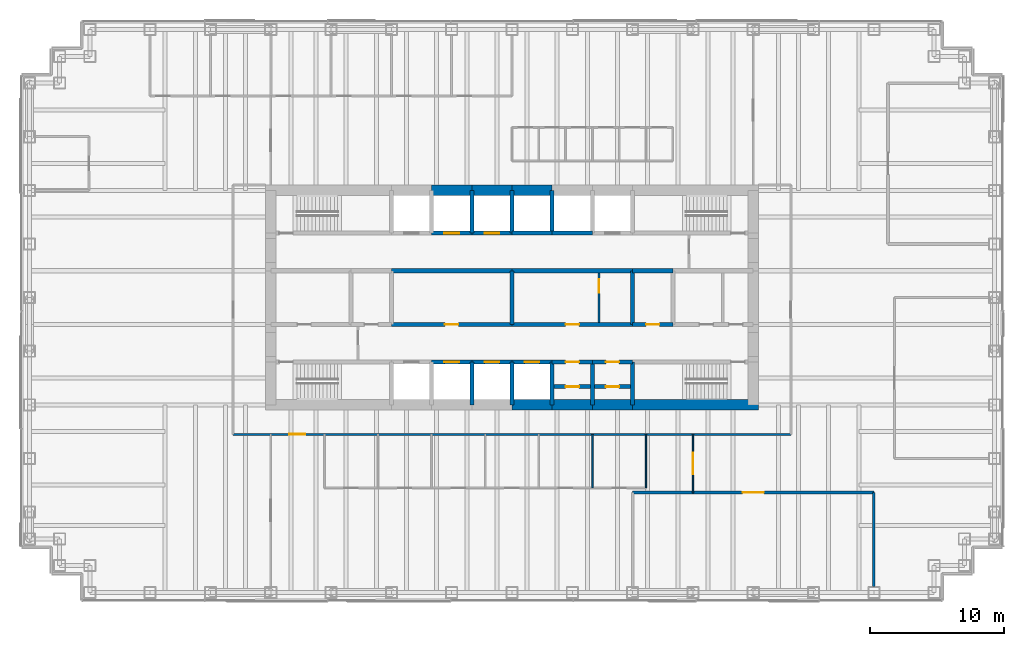
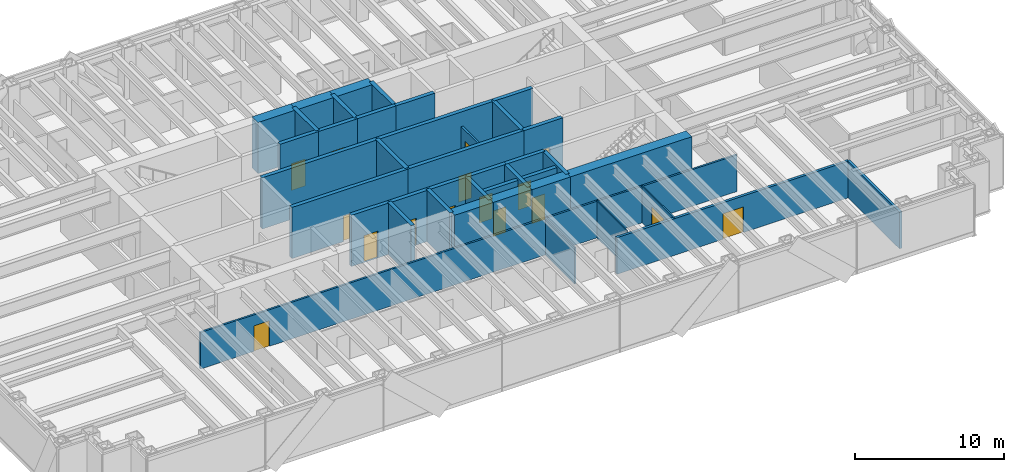
# One storey, part 11 of 14: 41 walls, 16 doors, 16 openings.
"""IFC4 building model written with IfcOpenShell, lengths in metres."""

from ifc_helpers import new_model, si_unit, direction, frame, frame_2d, origin, place, context, subcontext, project, spatial, rectangle, extrude, material, layer, layer_set, type_object, element, fill, save


model = new_model("IFC4")

# Units and contexts
model_context = context("Model", 3, precision=1e-05, world=origin(), true_north=direction((0.0, 1.0)))
body_context = subcontext(model_context, "Body", "Model", "MODEL_VIEW")
ifc_project = project(units=[si_unit("LENGTHUNIT", "METRE"), si_unit("AREAUNIT", "SQUARE_METRE"), si_unit("VOLUMEUNIT", "CUBIC_METRE"), si_unit("PLANEANGLEUNIT", "RADIAN"), si_unit("MASSUNIT", "GRAM", prefix="KILO")], contexts=[model_context])

# Site, building, storey
site_placement = place(None, origin())
site = spatial("IfcSite", under=ifc_project, at=site_placement, CompositionType="ELEMENT")
building_placement = place(site_placement, origin())
building = spatial("IfcBuilding", under=site, at=building_placement, Name="Rheinbord Bourse Tower", CompositionType="ELEMENT")
storey_placement = place(building_placement, frame((0.0, 0.0, 253.0)))
storey = spatial("IfcBuildingStorey", under=building, at=storey_placement, Name="L57", CompositionType="ELEMENT", Elevation=253.0)

# Wall, opening, door
ifc_material_1 = material(Name="Acoustic gypsum board partition", Category="gypsum board")
ifc_layer_1 = layer(ifc_material_1, 0.199951171875)
ifc_layer_set_1 = layer_set([ifc_layer_1], Name="ACOUSTIC PARTITION 200")
wall_type_1 = type_object("IfcWallType", Name="ACOUSTIC PARTITION 200", PredefinedType="PARTITIONING", material=ifc_layer_set_1)
wall_1_placement = place(storey_placement, frame((45.0, 9.449951171875, 0.0), z_axis=(0.0, 0.0, 1.0), x_axis=(1.0, 0.0, 0.0)))
wall_1 = element("IfcWall", 1, at=wall_1_placement, inside=storey, type_object=wall_type_1, Name="Partition L57-01", PredefinedType="PARTITIONING", context=body_context, shape_type="SweptSolid", body=[
    extrude(rectangle(XDim=18.0, YDim=0.199951171875, at=frame_2d((9.0, 0.0))), origin(), (0.0, 0.0, 1.0), 3.0),
])
opening_1_placement = place(wall_1_placement, frame((8.199951171875, 0.0, 0.0)))
opening_1 = element("IfcOpeningElement", 2, at=opening_1_placement, cuts=wall_1, Name="Opening 57D01", PredefinedType="OPENING", context=body_context, shape_type="SweptSolid", body=[
    extrude(rectangle(XDim=1.60009765625, YDim=2.10009765625, at=frame_2d((0.800048828125, 1.050048828125))), frame((0.0, 0.10986328125, 0.0), z_axis=(0.0, -1.0, 0.0), x_axis=(1.0, 0.0, 0.0)), (0.0, 0.0, 1.0), 0.219970703125),
])
ifc_material_2 = material(Name="Timber door", Category="wood")
door_type_1 = type_object("IfcDoorType", Name="DOUBLE ROOM DOOR 1600", OperationType="DOUBLE_DOOR_DOUBLE_SWING", PredefinedType="DOOR", material=ifc_material_2)
door_1_placement = place(opening_1_placement, origin())
door_1 = element("IfcDoor", 3, at=door_1_placement, inside=storey, type_object=door_type_1, Name="Project room door L57", OperationType="SINGLE_SWING_LEFT", OverallHeight=2.10009765625, OverallWidth=1.60009765625, PredefinedType="DOOR", context=body_context, shape_type="SweptSolid", body=[
    extrude(rectangle(XDim=1.60009765625, YDim=2.10009765625, at=frame_2d((0.800048828125, 1.050048828125))), frame((0.0, 0.02490234375, 0.0), z_axis=(0.0, -1.0, 0.0), x_axis=(1.0, 0.0, 0.0)), (0.0, 0.0, 1.0), 0.050048828125),
])
fill(opening_1, door_1)

# Wall
wall_2_placement = place(storey_placement, frame((63.0, 2.449951171875, 0.0), z_axis=(0.0, 0.0, 1.0), x_axis=(0.0, 1.0, 0.0)))
element("IfcWall", 4, at=wall_2_placement, inside=storey, type_object=wall_type_1, Name="Partition L57-44", PredefinedType="PARTITIONING", context=body_context, shape_type="SweptSolid", body=[
    extrude(rectangle(XDim=7.0, YDim=0.199951171875, at=frame_2d((3.5, 0.0))), origin(), (0.0, 0.0, 1.0), 3.0),
])

# Wall, opening, door
ifc_material_3 = material(Name="Concrete C50/60", Category="concrete")
ifc_layer_2 = layer(ifc_material_3, 0.300048828125)
ifc_layer_set_2 = layer_set([ifc_layer_2], Name="CORE INNER WALL 300")
wall_type_2 = type_object("IfcWallType", Name="CORE INNER WALL 300", PredefinedType="SOLIDWALL", material=ifc_layer_set_2)
wall_3_placement = place(storey_placement, frame((30.0, 19.199951171875, 0.0), z_axis=(0.0, 0.0, 1.0), x_axis=(1.0, 0.0, 0.0)))
wall_3 = element("IfcWall", 5, at=wall_3_placement, inside=storey, type_object=wall_type_2, Name="Core wall A3 L57", PredefinedType="SOLIDWALL", context=body_context, shape_type="SweptSolid", body=[
    extrude(rectangle(XDim=3.0, YDim=0.300048828125, at=frame_2d((1.5, 0.0))), origin(), (0.0, 0.0, 1.0), 4.199951171875),
])
opening_2_placement = place(wall_3_placement, frame((0.949951171875, 0.0, 0.0)))
opening_2 = element("IfcOpeningElement", 6, at=opening_2_placement, cuts=wall_3, Name="Opening PC1", PredefinedType="OPENING", context=body_context, shape_type="SweptSolid", body=[
    extrude(rectangle(XDim=1.10009765625, YDim=2.199951171875, at=frame_2d((0.550048828125, 1.10009765625))), frame((0.0, 0.159912109375, 0.0), z_axis=(0.0, -1.0, 0.0), x_axis=(1.0, 0.0, 0.0)), (0.0, 0.0, 1.0), 0.320068359375),
])
ifc_material_4 = material(Name="Steel landing door", Category="steel")
door_type_2 = type_object("IfcDoorType", Name="LIFT LANDING DOOR 1100", OperationType="DOUBLE_DOOR_SLIDING", PredefinedType="USERDEFINED", material=ifc_material_4)
door_2_placement = place(opening_2_placement, origin())
door_2 = element("IfcDoor", 7, at=door_2_placement, inside=storey, type_object=door_type_2, Name="Lift landing door PC1 L57", ObjectType="LIFT LANDING DOOR", OperationType="DOUBLE_DOOR_SLIDING", OverallHeight=2.199951171875, OverallWidth=1.10009765625, PredefinedType="USERDEFINED", context=body_context, shape_type="SweptSolid", body=[
    extrude(rectangle(XDim=1.10009765625, YDim=2.199951171875, at=frame_2d((0.550048828125, 1.10009765625))), frame((0.0, 0.02490234375, 0.0), z_axis=(0.0, -1.0, 0.0), x_axis=(1.0, 0.0, 0.0)), (0.0, 0.0, 1.0), 0.050048828125),
])
fill(opening_2, door_2)

wall_4_placement = place(storey_placement, frame((33.0, 19.199951171875, 0.0), z_axis=(0.0, 0.0, 1.0), x_axis=(1.0, 0.0, 0.0)))
wall_4 = element("IfcWall", 8, at=wall_4_placement, inside=storey, type_object=wall_type_2, Name="Core wall A4 L57", PredefinedType="SOLIDWALL", context=body_context, shape_type="SweptSolid", body=[
    extrude(rectangle(XDim=3.0, YDim=0.300048828125, at=frame_2d((1.5, 0.0))), origin(), (0.0, 0.0, 1.0), 4.199951171875),
])
opening_3_placement = place(wall_4_placement, frame((0.949951171875, 0.0, 0.0)))
opening_3 = element("IfcOpeningElement", 9, at=opening_3_placement, cuts=wall_4, Name="Opening PC2", PredefinedType="OPENING", context=body_context, shape_type="SweptSolid", body=[
    extrude(rectangle(XDim=1.10009765625, YDim=2.199951171875, at=frame_2d((0.550048828125, 1.10009765625))), frame((0.0, 0.159912109375, 0.0), z_axis=(0.0, -1.0, 0.0), x_axis=(1.0, 0.0, 0.0)), (0.0, 0.0, 1.0), 0.320068359375),
])
door_3_placement = place(opening_3_placement, origin())
door_3 = element("IfcDoor", 10, at=door_3_placement, inside=storey, type_object=door_type_2, Name="Lift landing door PC2 L57", ObjectType="LIFT LANDING DOOR", OperationType="DOUBLE_DOOR_SLIDING", OverallHeight=2.199951171875, OverallWidth=1.10009765625, PredefinedType="USERDEFINED", context=body_context, shape_type="SweptSolid", body=[
    extrude(rectangle(XDim=1.10009765625, YDim=2.199951171875, at=frame_2d((0.550048828125, 1.10009765625))), frame((0.0, 0.02490234375, 0.0), z_axis=(0.0, -1.0, 0.0), x_axis=(1.0, 0.0, 0.0)), (0.0, 0.0, 1.0), 0.050048828125),
])
fill(opening_3, door_3)

wall_5_placement = place(storey_placement, frame((36.0, 19.199951171875, 0.0), z_axis=(0.0, 0.0, 1.0), x_axis=(1.0, 0.0, 0.0)))
wall_5 = element("IfcWall", 11, at=wall_5_placement, inside=storey, type_object=wall_type_2, Name="Core wall A5 L57", PredefinedType="SOLIDWALL", context=body_context, shape_type="SweptSolid", body=[
    extrude(rectangle(XDim=3.0, YDim=0.300048828125, at=frame_2d((1.5, 0.0))), origin(), (0.0, 0.0, 1.0), 4.199951171875),
])
opening_4_placement = place(wall_5_placement, frame((0.949951171875, 0.0, 0.0)))
opening_4 = element("IfcOpeningElement", 12, at=opening_4_placement, cuts=wall_5, Name="Opening PC3", PredefinedType="OPENING", context=body_context, shape_type="SweptSolid", body=[
    extrude(rectangle(XDim=1.10009765625, YDim=2.199951171875, at=frame_2d((0.550048828125, 1.10009765625))), frame((0.0, 0.159912109375, 0.0), z_axis=(0.0, -1.0, 0.0), x_axis=(1.0, 0.0, 0.0)), (0.0, 0.0, 1.0), 0.320068359375),
])
door_4_placement = place(opening_4_placement, origin())
door_4 = element("IfcDoor", 13, at=door_4_placement, inside=storey, type_object=door_type_2, Name="Lift landing door PC3 L57", ObjectType="LIFT LANDING DOOR", OperationType="DOUBLE_DOOR_SLIDING", OverallHeight=2.199951171875, OverallWidth=1.10009765625, PredefinedType="USERDEFINED", context=body_context, shape_type="SweptSolid", body=[
    extrude(rectangle(XDim=1.10009765625, YDim=2.199951171875, at=frame_2d((0.550048828125, 1.10009765625))), frame((0.0, 0.02490234375, 0.0), z_axis=(0.0, -1.0, 0.0), x_axis=(1.0, 0.0, 0.0)), (0.0, 0.0, 1.0), 0.050048828125),
])
fill(opening_4, door_4)

wall_6_placement = place(storey_placement, frame((39.0, 19.199951171875, 0.0), z_axis=(0.0, 0.0, 1.0), x_axis=(1.0, 0.0, 0.0)))
wall_6 = element("IfcWall", 14, at=wall_6_placement, inside=storey, type_object=wall_type_2, Name="Core wall A6 L57", PredefinedType="SOLIDWALL", context=body_context, shape_type="SweptSolid", body=[
    extrude(rectangle(XDim=3.0, YDim=0.300048828125, at=frame_2d((1.5, 0.0))), origin(), (0.0, 0.0, 1.0), 4.199951171875),
])
opening_5_placement = place(wall_6_placement, frame((1.0, 0.0, 0.0)))
opening_5 = element("IfcOpeningElement", 15, at=opening_5_placement, cuts=wall_6, Name="Opening 57R8", PredefinedType="OPENING", context=body_context, shape_type="SweptSolid", body=[
    extrude(rectangle(XDim=1.0, YDim=2.10009765625, at=frame_2d((0.5, 1.050048828125))), frame((0.0, 0.159912109375, 0.0), z_axis=(0.0, -1.0, 0.0), x_axis=(1.0, 0.0, 0.0)), (0.0, 0.0, 1.0), 0.320068359375),
])
ifc_material_5 = material(Name="Steel door", Category="steel")
door_type_3 = type_object("IfcDoorType", Name="DOOR 1000 EI30", OperationType="SINGLE_SWING_LEFT", PredefinedType="DOOR", material=ifc_material_5)
door_5_placement = place(opening_5_placement, origin())
door_5 = element("IfcDoor", 16, at=door_5_placement, inside=storey, type_object=door_type_3, Name="Cleaner's store door L57", OperationType="SINGLE_SWING_LEFT", OverallHeight=2.10009765625, OverallWidth=1.0, PredefinedType="DOOR", context=body_context, shape_type="SweptSolid", body=[
    extrude(rectangle(XDim=1.0, YDim=2.10009765625, at=frame_2d((0.5, 1.050048828125))), frame((0.0, 0.02490234375, 0.0), z_axis=(0.0, -1.0, 0.0), x_axis=(1.0, 0.0, 0.0)), (0.0, 0.0, 1.0), 0.050048828125),
])
fill(opening_5, door_5)

wall_7_placement = place(storey_placement, frame((42.0, 19.199951171875, 0.0), z_axis=(0.0, 0.0, 1.0), x_axis=(1.0, 0.0, 0.0)))
wall_7 = element("IfcWall", 17, at=wall_7_placement, inside=storey, type_object=wall_type_2, Name="Core wall A7 L57", PredefinedType="SOLIDWALL", context=body_context, shape_type="SweptSolid", body=[
    extrude(rectangle(XDim=3.0, YDim=0.300048828125, at=frame_2d((1.5, 0.0))), origin(), (0.0, 0.0, 1.0), 4.199951171875),
])
opening_6_placement = place(wall_7_placement, frame((1.0, 0.0, 0.0)))
opening_6 = element("IfcOpeningElement", 18, at=opening_6_placement, cuts=wall_7, Name="Opening 57R9", PredefinedType="OPENING", context=body_context, shape_type="SweptSolid", body=[
    extrude(rectangle(XDim=1.0, YDim=2.10009765625, at=frame_2d((0.5, 1.050048828125))), frame((0.0, 0.159912109375, 0.0), z_axis=(0.0, -1.0, 0.0), x_axis=(1.0, 0.0, 0.0)), (0.0, 0.0, 1.0), 0.320068359375),
])
door_6_placement = place(opening_6_placement, origin())
door_6 = element("IfcDoor", 19, at=door_6_placement, inside=storey, type_object=door_type_3, Name="Pantry door L57", OperationType="SINGLE_SWING_LEFT", OverallHeight=2.10009765625, OverallWidth=1.0, PredefinedType="DOOR", context=body_context, shape_type="SweptSolid", body=[
    extrude(rectangle(XDim=1.0, YDim=2.10009765625, at=frame_2d((0.5, 1.050048828125))), frame((0.0, 0.02490234375, 0.0), z_axis=(0.0, -1.0, 0.0), x_axis=(1.0, 0.0, 0.0)), (0.0, 0.0, 1.0), 0.050048828125),
])
fill(opening_6, door_6)

wall_8_placement = place(storey_placement, frame((30.0, 28.800048828125, 0.0), z_axis=(0.0, 0.0, 1.0), x_axis=(1.0, 0.0, 0.0)))
wall_8 = element("IfcWall", 20, at=wall_8_placement, inside=storey, type_object=wall_type_2, Name="Core wall B3 L57", PredefinedType="SOLIDWALL", context=body_context, shape_type="SweptSolid", body=[
    extrude(rectangle(XDim=3.0, YDim=0.300048828125, at=frame_2d((1.5, 0.0))), origin(), (0.0, 0.0, 1.0), 4.199951171875),
])
opening_7_placement = place(wall_8_placement, frame((0.949951171875, 0.0, 0.0)))
opening_7 = element("IfcOpeningElement", 21, at=opening_7_placement, cuts=wall_8, Name="Opening PC4", PredefinedType="OPENING", context=body_context, shape_type="SweptSolid", body=[
    extrude(rectangle(XDim=1.10009765625, YDim=2.199951171875, at=frame_2d((0.550048828125, 1.10009765625))), frame((0.0, 0.159912109375, 0.0), z_axis=(0.0, -1.0, 0.0), x_axis=(1.0, 0.0, 0.0)), (0.0, 0.0, 1.0), 0.320068359375),
])
door_7_placement = place(opening_7_placement, origin())
door_7 = element("IfcDoor", 22, at=door_7_placement, inside=storey, type_object=door_type_2, Name="Lift landing door PC4 L57", ObjectType="LIFT LANDING DOOR", OperationType="DOUBLE_DOOR_SLIDING", OverallHeight=2.199951171875, OverallWidth=1.10009765625, PredefinedType="USERDEFINED", context=body_context, shape_type="SweptSolid", body=[
    extrude(rectangle(XDim=1.10009765625, YDim=2.199951171875, at=frame_2d((0.550048828125, 1.10009765625))), frame((0.0, 0.02490234375, 0.0), z_axis=(0.0, -1.0, 0.0), x_axis=(1.0, 0.0, 0.0)), (0.0, 0.0, 1.0), 0.050048828125),
])
fill(opening_7, door_7)

wall_9_placement = place(storey_placement, frame((33.0, 28.800048828125, 0.0), z_axis=(0.0, 0.0, 1.0), x_axis=(1.0, 0.0, 0.0)))
wall_9 = element("IfcWall", 23, at=wall_9_placement, inside=storey, type_object=wall_type_2, Name="Core wall B4 L57", PredefinedType="SOLIDWALL", context=body_context, shape_type="SweptSolid", body=[
    extrude(rectangle(XDim=3.0, YDim=0.300048828125, at=frame_2d((1.5, 0.0))), origin(), (0.0, 0.0, 1.0), 4.199951171875),
])
opening_8_placement = place(wall_9_placement, frame((0.949951171875, 0.0, 0.0)))
opening_8 = element("IfcOpeningElement", 24, at=opening_8_placement, cuts=wall_9, Name="Opening PC5", PredefinedType="OPENING", context=body_context, shape_type="SweptSolid", body=[
    extrude(rectangle(XDim=1.10009765625, YDim=2.199951171875, at=frame_2d((0.550048828125, 1.10009765625))), frame((0.0, 0.159912109375, 0.0), z_axis=(0.0, -1.0, 0.0), x_axis=(1.0, 0.0, 0.0)), (0.0, 0.0, 1.0), 0.320068359375),
])
door_8_placement = place(opening_8_placement, origin())
door_8 = element("IfcDoor", 25, at=door_8_placement, inside=storey, type_object=door_type_2, Name="Lift landing door PC5 L57", ObjectType="LIFT LANDING DOOR", OperationType="DOUBLE_DOOR_SLIDING", OverallHeight=2.199951171875, OverallWidth=1.10009765625, PredefinedType="USERDEFINED", context=body_context, shape_type="SweptSolid", body=[
    extrude(rectangle(XDim=1.10009765625, YDim=2.199951171875, at=frame_2d((0.550048828125, 1.10009765625))), frame((0.0, 0.02490234375, 0.0), z_axis=(0.0, -1.0, 0.0), x_axis=(1.0, 0.0, 0.0)), (0.0, 0.0, 1.0), 0.050048828125),
])
fill(opening_8, door_8)

# Walls
for number, where, z_axis, x_axis, name in (
    (26, (36.0, 28.800048828125, 0.0), (0.0, 0.0, 1.0), (1.0, 0.0, 0.0), "Core wall B5 L57"),
    (27, (39.0, 28.800048828125, 0.0), (0.0, 0.0, 1.0), (1.0, 0.0, 0.0), "Core wall B6 L57"),
):
    element("IfcWall", number, at=place(storey_placement, frame(where, z_axis=z_axis, x_axis=x_axis)), inside=storey, type_object=wall_type_2, Name=name, PredefinedType="SOLIDWALL", context=body_context, shape_type="SweptSolid", body=[
        extrude(rectangle(XDim=3.0, YDim=0.300048828125, at=frame_2d((1.5, 0.0))), origin(), (0.0, 0.0, 1.0), 4.199951171875),
    ])

# Wall, opening, door
wall_10_placement = place(storey_placement, frame((27.0, 22.0, 0.0), z_axis=(0.0, 0.0, 1.0), x_axis=(1.0, 0.0, 0.0)))
wall_10 = element("IfcWall", 28, at=wall_10_placement, inside=storey, type_object=wall_type_2, Name="Core wall C3 L57", PredefinedType="SOLIDWALL", context=body_context, shape_type="SweptSolid", body=[
    extrude(rectangle(XDim=9.0, YDim=0.300048828125, at=frame_2d((4.5, 0.0))), origin(), (0.0, 0.0, 1.0), 4.199951171875),
])
opening_9_placement = place(wall_10_placement, frame((4.0, 0.0, 0.0)))
opening_9 = element("IfcOpeningElement", 29, at=opening_9_placement, cuts=wall_10, Name="Opening 57R3", PredefinedType="OPENING", context=body_context, shape_type="SweptSolid", body=[
    extrude(rectangle(XDim=1.0, YDim=2.10009765625, at=frame_2d((0.5, 1.050048828125))), frame((0.0, 0.159912109375, 0.0), z_axis=(0.0, -1.0, 0.0), x_axis=(1.0, 0.0, 0.0)), (0.0, 0.0, 1.0), 0.320068359375),
])
door_9_placement = place(opening_9_placement, origin())
door_9 = element("IfcDoor", 30, at=door_9_placement, inside=storey, type_object=door_type_3, Name="Riser door L57", OperationType="SINGLE_SWING_LEFT", OverallHeight=2.10009765625, OverallWidth=1.0, PredefinedType="DOOR", context=body_context, shape_type="SweptSolid", body=[
    extrude(rectangle(XDim=1.0, YDim=2.10009765625, at=frame_2d((0.5, 1.050048828125))), frame((0.0, 0.02490234375, 0.0), z_axis=(0.0, -1.0, 0.0), x_axis=(1.0, 0.0, 0.0)), (0.0, 0.0, 1.0), 0.050048828125),
])
fill(opening_9, door_9)

wall_11_placement = place(storey_placement, frame((36.0, 22.0, 0.0), z_axis=(0.0, 0.0, 1.0), x_axis=(1.0, 0.0, 0.0)))
wall_11 = element("IfcWall", 31, at=wall_11_placement, inside=storey, type_object=wall_type_2, Name="Core wall C4 L57", PredefinedType="SOLIDWALL", context=body_context, shape_type="SweptSolid", body=[
    extrude(rectangle(XDim=9.0, YDim=0.300048828125, at=frame_2d((4.5, 0.0))), origin(), (0.0, 0.0, 1.0), 4.199951171875),
])
opening_10_placement = place(wall_11_placement, frame((4.0, 0.0, 0.0)))
opening_10 = element("IfcOpeningElement", 32, at=opening_10_placement, cuts=wall_11, Name="Opening 57R4", PredefinedType="OPENING", context=body_context, shape_type="SweptSolid", body=[
    extrude(rectangle(XDim=1.0, YDim=2.10009765625, at=frame_2d((0.5, 1.050048828125))), frame((0.0, 0.159912109375, 0.0), z_axis=(0.0, -1.0, 0.0), x_axis=(1.0, 0.0, 0.0)), (0.0, 0.0, 1.0), 0.320068359375),
])
door_10_placement = place(opening_10_placement, origin())
door_10 = element("IfcDoor", 33, at=door_10_placement, inside=storey, type_object=door_type_3, Name="Print room door L57", OperationType="SINGLE_SWING_LEFT", OverallHeight=2.10009765625, OverallWidth=1.0, PredefinedType="DOOR", context=body_context, shape_type="SweptSolid", body=[
    extrude(rectangle(XDim=1.0, YDim=2.10009765625, at=frame_2d((0.5, 1.050048828125))), frame((0.0, 0.02490234375, 0.0), z_axis=(0.0, -1.0, 0.0), x_axis=(1.0, 0.0, 0.0)), (0.0, 0.0, 1.0), 0.050048828125),
])
fill(opening_10, door_10)

wall_12_placement = place(storey_placement, frame((45.0, 22.0, 0.0), z_axis=(0.0, 0.0, 1.0), x_axis=(1.0, 0.0, 0.0)))
wall_12 = element("IfcWall", 34, at=wall_12_placement, inside=storey, type_object=wall_type_2, Name="Core wall C5 L57", PredefinedType="SOLIDWALL", context=body_context, shape_type="SweptSolid", body=[
    extrude(rectangle(XDim=3.0, YDim=0.300048828125, at=frame_2d((1.5, 0.0))), origin(), (0.0, 0.0, 1.0), 4.199951171875),
])
opening_11_placement = place(wall_12_placement, frame((1.0, 0.0, 0.0)))
opening_11 = element("IfcOpeningElement", 35, at=opening_11_placement, cuts=wall_12, Name="Opening 57R5", PredefinedType="OPENING", context=body_context, shape_type="SweptSolid", body=[
    extrude(rectangle(XDim=1.0, YDim=2.10009765625, at=frame_2d((0.5, 1.050048828125))), frame((0.0, 0.159912109375, 0.0), z_axis=(0.0, -1.0, 0.0), x_axis=(1.0, 0.0, 0.0)), (0.0, 0.0, 1.0), 0.320068359375),
])
ifc_material_6 = material(Name="Timber door", Category="wood")
door_type_4 = type_object("IfcDoorType", Name="DOOR 1000 WC", OperationType="SINGLE_SWING_LEFT", PredefinedType="DOOR", material=ifc_material_6)
door_11_placement = place(opening_11_placement, origin())
door_11 = element("IfcDoor", 36, at=door_11_placement, inside=storey, type_object=door_type_4, Name="Accessible WC door L57", OperationType="SINGLE_SWING_LEFT", OverallHeight=2.10009765625, OverallWidth=1.0, PredefinedType="DOOR", context=body_context, shape_type="SweptSolid", body=[
    extrude(rectangle(XDim=1.0, YDim=2.10009765625, at=frame_2d((0.5, 1.050048828125))), frame((0.0, 0.02490234375, 0.0), z_axis=(0.0, -1.0, 0.0), x_axis=(1.0, 0.0, 0.0)), (0.0, 0.0, 1.0), 0.050048828125),
])
fill(opening_11, door_11)

# Walls
for number, where, z_axis, x_axis, name in (
    (37, (27.0, 26.0, 0.0), (0.0, 0.0, 1.0), (1.0, 0.0, 0.0), "Core wall D3 L57"),
    (38, (36.0, 26.0, 0.0), (0.0, 0.0, 1.0), (1.0, 0.0, 0.0), "Core wall D4 L57"),
):
    element("IfcWall", number, at=place(storey_placement, frame(where, z_axis=z_axis, x_axis=x_axis)), inside=storey, type_object=wall_type_2, Name=name, PredefinedType="SOLIDWALL", context=body_context, shape_type="SweptSolid", body=[
        extrude(rectangle(XDim=9.0, YDim=0.300048828125, at=frame_2d((4.5, 0.0))), origin(), (0.0, 0.0, 1.0), 4.199951171875),
    ])
wall_13_placement = place(storey_placement, frame((45.0, 26.0, 0.0), z_axis=(0.0, 0.0, 1.0), x_axis=(1.0, 0.0, 0.0)))
element("IfcWall", 39, at=wall_13_placement, inside=storey, type_object=wall_type_2, Name="Core wall D5 L57", PredefinedType="SOLIDWALL", context=body_context, shape_type="SweptSolid", body=[
    extrude(rectangle(XDim=3.0, YDim=0.300048828125, at=frame_2d((1.5, 0.0))), origin(), (0.0, 0.0, 1.0), 4.199951171875),
])
for number, where, z_axis, x_axis, name in (
    (40, (33.0, 16.0, 0.0), (0.0, 0.0, 1.0), (0.0, 1.0, 0.0), "Core wall SX33 L57"),
    (41, (33.0, 28.800048828125, 0.0), (0.0, 0.0, 1.0), (0.0, 1.0, 0.0), "Core wall NX33 L57"),
    (42, (36.0, 16.0, 0.0), (0.0, 0.0, 1.0), (0.0, 1.0, 0.0), "Core wall SX36 L57"),
    (43, (36.0, 28.800048828125, 0.0), (0.0, 0.0, 1.0), (0.0, 1.0, 0.0), "Core wall NX36 L57"),
    (44, (39.0, 16.0, 0.0), (0.0, 0.0, 1.0), (0.0, 1.0, 0.0), "Core wall SX39 L57"),
    (45, (39.0, 28.800048828125, 0.0), (0.0, 0.0, 1.0), (0.0, 1.0, 0.0), "Core wall NX39 L57"),
    (46, (42.0, 16.0, 0.0), (0.0, 0.0, 1.0), (0.0, 1.0, 0.0), "Core wall SX42 L57"),
    (47, (45.0, 16.0, 0.0), (0.0, 0.0, 1.0), (0.0, 1.0, 0.0), "Core wall SX45 L57"),
):
    element("IfcWall", number, at=place(storey_placement, frame(where, z_axis=z_axis, x_axis=x_axis)), inside=storey, type_object=wall_type_2, Name=name, PredefinedType="SOLIDWALL", context=body_context, shape_type="SweptSolid", body=[
        extrude(rectangle(XDim=3.199951171875, YDim=0.300048828125, at=frame_2d((1.60009765625, 0.0))), origin(), (0.0, 0.0, 1.0), 4.199951171875),
    ])
for number, where, z_axis, x_axis, name in (
    (48, (36.0, 22.0, 0.0), (0.0, 0.0, 1.0), (0.0, 1.0, 0.0), "Core wall MX36 L57"),
    (49, (45.0, 22.0, 0.0), (0.0, 0.0, 1.0), (0.0, 1.0, 0.0), "Core wall MX45 L57"),
):
    element("IfcWall", number, at=place(storey_placement, frame(where, z_axis=z_axis, x_axis=x_axis)), inside=storey, type_object=wall_type_2, Name=name, PredefinedType="SOLIDWALL", context=body_context, shape_type="SweptSolid", body=[
        extrude(rectangle(XDim=4.0, YDim=0.300048828125, at=frame_2d((2.0, 0.0))), origin(), (0.0, 0.0, 1.0), 4.199951171875),
    ])

# Wall, opening, door
wall_14_placement = place(storey_placement, frame((39.14990234375, 17.35009765625, 0.0), z_axis=(0.0, 0.0, 1.0), x_axis=(1.0, 0.0, 0.0)))
wall_14 = element("IfcWall", 50, at=wall_14_placement, inside=storey, type_object=wall_type_2, Name="Core riser wall L57-6", PredefinedType="SOLIDWALL", context=body_context, shape_type="SweptSolid", body=[
    extrude(rectangle(XDim=2.7001953125, YDim=0.300048828125, at=frame_2d((1.35009765625, 0.0))), origin(), (0.0, 0.0, 1.0), 4.0400390625),
])
opening_12_placement = place(wall_14_placement, frame((0.85009765625, 0.0, 0.0)))
opening_12 = element("IfcOpeningElement", 51, at=opening_12_placement, cuts=wall_14, Name="Opening 57R12", PredefinedType="OPENING", context=body_context, shape_type="SweptSolid", body=[
    extrude(rectangle(XDim=1.0, YDim=2.10009765625, at=frame_2d((0.5, 1.050048828125))), frame((0.0, 0.159912109375, 0.0), z_axis=(0.0, -1.0, 0.0), x_axis=(1.0, 0.0, 0.0)), (0.0, 0.0, 1.0), 0.320068359375),
])
door_12_placement = place(opening_12_placement, origin())
door_12 = element("IfcDoor", 52, at=door_12_placement, inside=storey, type_object=door_type_3, Name="Comms riser door L57", OperationType="SINGLE_SWING_LEFT", OverallHeight=2.10009765625, OverallWidth=1.0, PredefinedType="DOOR", context=body_context, shape_type="SweptSolid", body=[
    extrude(rectangle(XDim=1.0, YDim=2.10009765625, at=frame_2d((0.5, 1.050048828125))), frame((0.0, 0.02490234375, 0.0), z_axis=(0.0, -1.0, 0.0), x_axis=(1.0, 0.0, 0.0)), (0.0, 0.0, 1.0), 0.050048828125),
])
fill(opening_12, door_12)

wall_15_placement = place(storey_placement, frame((42.14990234375, 17.35009765625, 0.0), z_axis=(0.0, 0.0, 1.0), x_axis=(1.0, 0.0, 0.0)))
wall_15 = element("IfcWall", 53, at=wall_15_placement, inside=storey, type_object=wall_type_2, Name="Core riser wall L57-7", PredefinedType="SOLIDWALL", context=body_context, shape_type="SweptSolid", body=[
    extrude(rectangle(XDim=2.7001953125, YDim=0.300048828125, at=frame_2d((1.35009765625, 0.0))), origin(), (0.0, 0.0, 1.0), 4.0400390625),
])
opening_13_placement = place(wall_15_placement, frame((0.85009765625, 0.0, 0.0)))
opening_13 = element("IfcOpeningElement", 54, at=opening_13_placement, cuts=wall_15, Name="Opening 57R13", PredefinedType="OPENING", context=body_context, shape_type="SweptSolid", body=[
    extrude(rectangle(XDim=1.0, YDim=2.10009765625, at=frame_2d((0.5, 1.050048828125))), frame((0.0, 0.159912109375, 0.0), z_axis=(0.0, -1.0, 0.0), x_axis=(1.0, 0.0, 0.0)), (0.0, 0.0, 1.0), 0.320068359375),
])
door_13_placement = place(opening_13_placement, origin())
door_13 = element("IfcDoor", 55, at=door_13_placement, inside=storey, type_object=door_type_3, Name="Electrical riser door L57", OperationType="SINGLE_SWING_LEFT", OverallHeight=2.10009765625, OverallWidth=1.0, PredefinedType="DOOR", context=body_context, shape_type="SweptSolid", body=[
    extrude(rectangle(XDim=1.0, YDim=2.10009765625, at=frame_2d((0.5, 1.050048828125))), frame((0.0, 0.02490234375, 0.0), z_axis=(0.0, -1.0, 0.0), x_axis=(1.0, 0.0, 0.0)), (0.0, 0.0, 1.0), 0.050048828125),
])
fill(opening_13, door_13)

ifc_material_7 = material(Name="Gypsum board fire partition", Category="gypsum board")
ifc_layer_3 = layer(ifc_material_7, 0.14990234375)
ifc_layer_set_3 = layer_set([ifc_layer_3], Name="CORE PARTITION 150 EI30")
wall_type_3 = type_object("IfcWallType", Name="CORE PARTITION 150 EI30", PredefinedType="PARTITIONING", material=ifc_layer_set_3)
wall_16_placement = place(storey_placement, frame((42.5, 22.14990234375, 0.0), z_axis=(0.0, 0.0, 1.0), x_axis=(0.0, 1.0, 0.0)))
wall_16 = element("IfcWall", 56, at=wall_16_placement, inside=storey, type_object=wall_type_3, Name="Core partition L57-1", PredefinedType="PARTITIONING", context=body_context, shape_type="SweptSolid", body=[
    extrude(rectangle(XDim=3.7001953125, YDim=0.14990234375, at=frame_2d((1.85009765625, 0.0))), origin(), (0.0, 0.0, 1.0), 3.0),
])
opening_14_placement = place(wall_16_placement, frame((2.199951171875, 0.0, 0.0)))
opening_14 = element("IfcOpeningElement", 57, at=opening_14_placement, cuts=wall_16, Name="Opening 57R7", PredefinedType="OPENING", context=body_context, shape_type="SweptSolid", body=[
    extrude(rectangle(XDim=1.0, YDim=2.10009765625, at=frame_2d((0.5, 1.050048828125))), frame((0.0, 0.0849609375, 0.0), z_axis=(0.0, -1.0, 0.0), x_axis=(1.0, 0.0, 0.0)), (0.0, 0.0, 1.0), 0.169921875),
])
door_14_placement = place(opening_14_placement, origin())
door_14 = element("IfcDoor", 58, at=door_14_placement, inside=storey, type_object=door_type_3, Name="Paper store door L57", OperationType="SINGLE_SWING_RIGHT", OverallHeight=2.10009765625, OverallWidth=1.0, PredefinedType="DOOR", context=body_context, shape_type="SweptSolid", body=[
    extrude(rectangle(XDim=1.0, YDim=2.10009765625, at=frame_2d((0.5, 1.050048828125))), frame((0.0, 0.02490234375, 0.0), z_axis=(0.0, -1.0, 0.0), x_axis=(1.0, 0.0, 0.0)), (0.0, 0.0, 1.0), 0.050048828125),
])
fill(opening_14, door_14)

# Walls
ifc_material_8 = material(Name="Concrete C50/60", Category="concrete")
ifc_layer_4 = layer(ifc_material_8, 0.800048828125)
ifc_layer_set_4 = layer_set([ifc_layer_4], Name="CORE WALL 800")
wall_type_4 = type_object("IfcWallType", Name="CORE WALL 800", PredefinedType="SHEAR", material=ifc_layer_set_4)
for number, where, z_axis, x_axis, name in (
    (59, (36.0, 16.0, 0.0), (0.0, 0.0, 1.0), (1.0, 0.0, 0.0), "Core wall S5 L57"),
    (60, (39.0, 16.0, 0.0), (0.0, 0.0, 1.0), (1.0, 0.0, 0.0), "Core wall S6 L57"),
    (61, (42.0, 16.0, 0.0), (0.0, 0.0, 1.0), (1.0, 0.0, 0.0), "Core wall S7 L57"),
):
    element("IfcWall", number, at=place(storey_placement, frame(where, z_axis=z_axis, x_axis=x_axis)), inside=storey, type_object=wall_type_4, Name=name, PredefinedType="SHEAR", context=body_context, shape_type="SweptSolid", body=[
        extrude(rectangle(XDim=3.0, YDim=0.800048828125, at=frame_2d((1.5, 0.0))), origin(), (0.0, 0.0, 1.0), 4.199951171875),
    ])
wall_17_placement = place(storey_placement, frame((45.0, 16.0, 0.0), z_axis=(0.0, 0.0, 1.0), x_axis=(1.0, 0.0, 0.0)))
element("IfcWall", 62, at=wall_17_placement, inside=storey, type_object=wall_type_4, Name="Core wall S8 L57", PredefinedType="SHEAR", context=body_context, shape_type="SweptSolid", body=[
    extrude(rectangle(XDim=9.39990234375, YDim=0.800048828125, at=frame_2d((4.699951171875, 0.0))), origin(), (0.0, 0.0, 1.0), 4.199951171875),
])
for number, where, z_axis, x_axis, name in (
    (63, (39.0, 32.0, 0.0), (0.0, 0.0, 1.0), (-1.0, 0.0, 0.0), "Core wall N4 L57"),
    (64, (36.0, 32.0, 0.0), (0.0, 0.0, 1.0), (-1.0, 0.0, 0.0), "Core wall N5 L57"),
    (65, (33.0, 32.0, 0.0), (0.0, 0.0, 1.0), (-1.0, 0.0, 0.0), "Core wall N6 L57"),
):
    element("IfcWall", number, at=place(storey_placement, frame(where, z_axis=z_axis, x_axis=x_axis)), inside=storey, type_object=wall_type_4, Name=name, PredefinedType="SHEAR", context=body_context, shape_type="SweptSolid", body=[
        extrude(rectangle(XDim=3.0, YDim=0.800048828125, at=frame_2d((1.5, 0.0))), origin(), (0.0, 0.0, 1.0), 4.199951171875),
    ])

# Wall, opening, door
ifc_material_9 = material(Name="Gypsum board corridor partition", Category="gypsum board")
ifc_layer_5 = layer(ifc_material_9, 0.14990234375)
ifc_layer_set_5 = layer_set([ifc_layer_5], Name="CORRIDOR PARTITION 150 EI30")
wall_type_5 = type_object("IfcWallType", Name="CORRIDOR PARTITION 150 EI30", PredefinedType="PARTITIONING", material=ifc_layer_set_5)
wall_18_placement = place(storey_placement, frame((15.199951171875, 13.800048828125, 0.0), z_axis=(0.0, 0.0, 1.0), x_axis=(1.0, 0.0, 0.0)))
wall_18 = element("IfcWall", 66, at=wall_18_placement, inside=storey, type_object=wall_type_5, Name="Partition L57-04", PredefinedType="PARTITIONING", context=body_context, shape_type="SweptSolid", body=[
    extrude(rectangle(XDim=41.60009765625, YDim=0.14990234375, at=frame_2d((20.800048828125, 0.0))), origin(), (0.0, 0.0, 1.0), 3.0),
])
opening_15_placement = place(wall_18_placement, frame((4.175048828125, 0.0, 0.0)))
opening_15 = element("IfcOpeningElement", 67, at=opening_15_placement, cuts=wall_18, Name="Opening 57D29", PredefinedType="OPENING", context=body_context, shape_type="SweptSolid", body=[
    extrude(rectangle(XDim=1.199951171875, YDim=2.10009765625, at=frame_2d((0.60009765625, 1.050048828125))), frame((0.0, 0.0849609375, 0.0), z_axis=(0.0, -1.0, 0.0), x_axis=(1.0, 0.0, 0.0)), (0.0, 0.0, 1.0), 0.169921875),
])
ifc_material_10 = material(Name="Timber fire door", Category="wood")
door_type_5 = type_object("IfcDoorType", Name="SUITE ENTRANCE DOOR 1200 EI30", OperationType="SINGLE_SWING_LEFT", PredefinedType="DOOR", material=ifc_material_10)
door_15_placement = place(opening_15_placement, origin())
door_15 = element("IfcDoor", 68, at=door_15_placement, inside=storey, type_object=door_type_5, Name="Suite entrance 3 door L57", OperationType="SINGLE_SWING_LEFT", OverallHeight=2.10009765625, OverallWidth=1.199951171875, PredefinedType="DOOR", context=body_context, shape_type="SweptSolid", body=[
    extrude(rectangle(XDim=1.199951171875, YDim=2.10009765625, at=frame_2d((0.60009765625, 1.050048828125))), frame((0.0, 0.02490234375, 0.0), z_axis=(0.0, -1.0, 0.0), x_axis=(1.0, 0.0, 0.0)), (0.0, 0.0, 1.0), 0.050048828125),
])
fill(opening_15, door_15)

# Walls
ifc_material_11 = material(Name="Toughened laminated glass partition", Category="glass")
ifc_layer_6 = layer(ifc_material_11, 0.10009765625)
ifc_layer_set_6 = layer_set([ifc_layer_6], Name="GLAZED PARTITION 100")
wall_type_6 = type_object("IfcWallType", Name="GLAZED PARTITION 100", PredefinedType="PARTITIONING", material=ifc_layer_set_6)
for number, where, z_axis, x_axis, name in (
    (69, (42.0, 9.800048828125, 0.0), (0.0, 0.0, 1.0), (0.0, 1.0, 0.0), "Partition L57-34"),
    (70, (46.0, 9.800048828125, 0.0), (0.0, 0.0, 1.0), (0.0, 1.0, 0.0), "Partition L57-38"),
):
    element("IfcWall", number, at=place(storey_placement, frame(where, z_axis=z_axis, x_axis=x_axis)), inside=storey, type_object=wall_type_6, Name=name, PredefinedType="PARTITIONING", context=body_context, shape_type="SweptSolid", body=[
        extrude(rectangle(XDim=4.0, YDim=0.10009765625, at=frame_2d((2.0, 0.0))), origin(), (0.0, 0.0, 1.0), 3.0),
    ])

# Wall, opening, door
wall_19_placement = place(storey_placement, frame((49.5, 9.449951171875, 0.0), z_axis=(0.0, 0.0, 1.0), x_axis=(0.0, 1.0, 0.0)))
wall_19 = element("IfcWall", 71, at=wall_19_placement, inside=storey, type_object=wall_type_6, Name="Partition L57-41", PredefinedType="PARTITIONING", context=body_context, shape_type="SweptSolid", body=[
    extrude(rectangle(XDim=4.35009765625, YDim=0.10009765625, at=frame_2d((2.175048828125, 0.0))), origin(), (0.0, 0.0, 1.0), 3.0),
])
opening_16_placement = place(wall_19_placement, frame((1.375, 0.0, 0.0)))
opening_16 = element("IfcOpeningElement", 72, at=opening_16_placement, cuts=wall_19, Name="Opening 57D25", PredefinedType="OPENING", context=body_context, shape_type="SweptSolid", body=[
    extrude(rectangle(XDim=1.60009765625, YDim=2.10009765625, at=frame_2d((0.800048828125, 1.050048828125))), frame((0.0, 0.06005859375, 0.0), z_axis=(0.0, -1.0, 0.0), x_axis=(1.0, 0.0, 0.0)), (0.0, 0.0, 1.0), 0.1201171875),
])
door_16_placement = place(opening_16_placement, origin())
door_16 = element("IfcDoor", 73, at=door_16_placement, inside=storey, type_object=door_type_1, Name="Open area door L57", OperationType="SINGLE_SWING_LEFT", OverallHeight=2.10009765625, OverallWidth=1.60009765625, PredefinedType="DOOR", context=body_context, shape_type="SweptSolid", body=[
    extrude(rectangle(XDim=1.60009765625, YDim=2.10009765625, at=frame_2d((0.800048828125, 1.050048828125))), frame((0.0, 0.02490234375, 0.0), z_axis=(0.0, -1.0, 0.0), x_axis=(1.0, 0.0, 0.0)), (0.0, 0.0, 1.0), 0.050048828125),
])
fill(opening_16, door_16)

save(model, "model.ifc")
